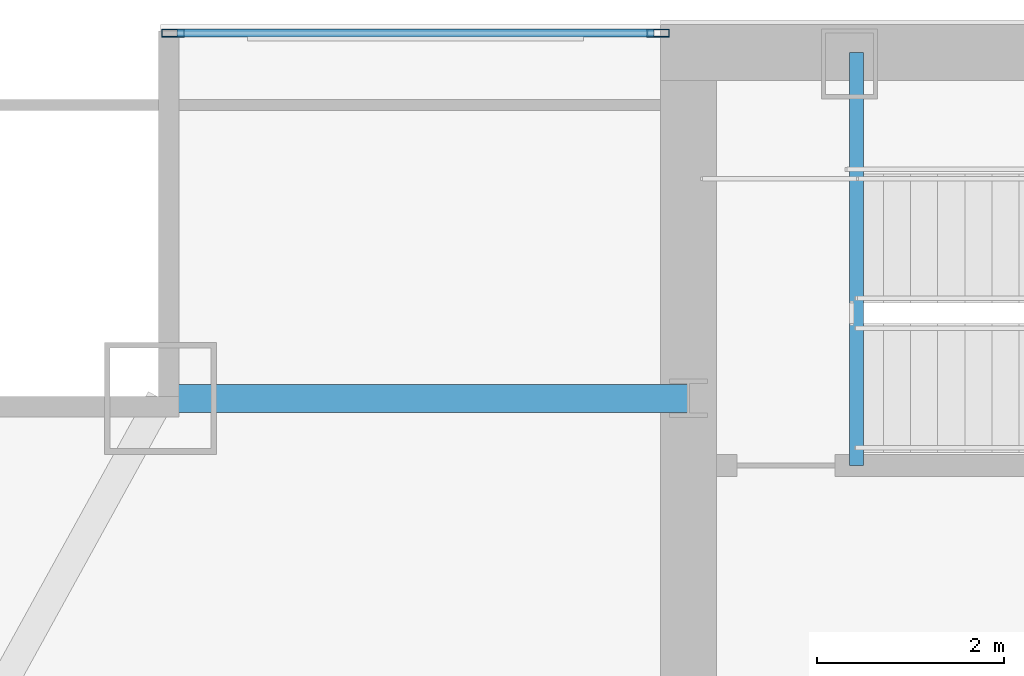
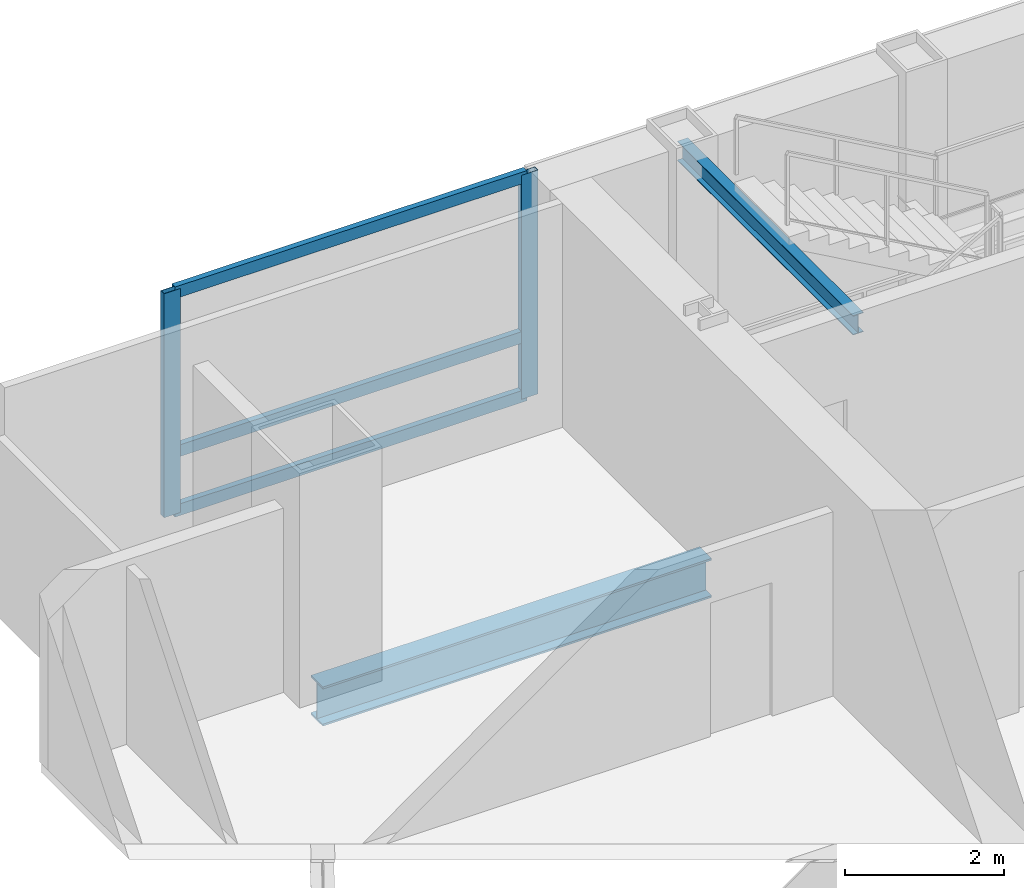
# One storey, part 21 of 30: 5 members, 2 beams, 1 element without a shape of its own.
"""IFC4 building model written with IfcOpenShell, lengths in metres."""

from ifc_helpers import new_model, si_unit, direction, frame, origin, origin_2d, place, context, subcontext, project, spatial, hollow_rectangle, i_section, extrude, material, material_profile, profile_set, type_object, element, aggregate, save


model = new_model("IFC4")

# Units and contexts
model_context = context("Model", 3, precision=1e-05, world=origin(), true_north=direction((0.0, 1.0)))
body_context = subcontext(model_context, "Body", "Model", "MODEL_VIEW")
ifc_project = project(units=[si_unit("LENGTHUNIT", "METRE"), si_unit("AREAUNIT", "SQUARE_METRE"), si_unit("VOLUMEUNIT", "CUBIC_METRE"), si_unit("PLANEANGLEUNIT", "RADIAN"), si_unit("MASSUNIT", "GRAM", prefix="KILO")], contexts=[model_context])

# Site, building, storey
site_placement = place(None, origin())
site = spatial("IfcSite", under=ifc_project, at=site_placement, CompositionType="ELEMENT")
building_placement = place(site_placement, origin())
building = spatial("IfcBuilding", under=site, at=building_placement, Name="Khoronbel Lancet Exchange", CompositionType="ELEMENT")
storey_placement = place(building_placement, frame((0.0, 0.0, 213.800048828125)))
storey = spatial("IfcBuildingStorey", under=building, at=storey_placement, Name="L54", CompositionType="ELEMENT", Elevation=213.800048828125)

# Beams
ifc_material_1 = material(Name="Steel S355", Category="steel")
ifc_material_profile_1 = material_profile(ifc_material_1, i_section(OverallWidth=0.14990234375, OverallDepth=0.300048828125, WebThickness=0.007080078125, FlangeThickness=0.0107421875, at=origin_2d()), Name="IPE 300")
ifc_profile_set_1 = profile_set([ifc_material_profile_1], Name="Steel S355")
beam_type_1 = type_object("IfcBeamType", Name="BM-BJ8", PredefinedType="JOIST", material=ifc_profile_set_1)
beam_1_placement = place(storey_placement, frame((18.300048828125, 48.97998046875, 3.159912109375), z_axis=(0.0, 1.0, 0.0), x_axis=(-1.0, 0.0, 0.0)))
element("IfcBeam", 1, at=beam_1_placement, inside=storey, type_object=beam_type_1, Name="Level L54 stair ST1 upper-flight arrival trimmer beam", PredefinedType="JOIST", context=body_context, shape_type="SweptSolid", body=[
    extrude(i_section(OverallWidth=0.14990234375, OverallDepth=0.300048828125, WebThickness=0.007080078125, FlangeThickness=0.0107421875, at=origin_2d()), origin(), (0.0, 0.0, 1.0), 4.419921875),
])
ifc_material_profile_2 = material_profile(ifc_material_1, i_section(OverallWidth=0.300048828125, OverallDepth=0.60009765625, WebThickness=0.015380859375, FlangeThickness=0.030029296875, at=origin_2d()), Name="HEB 600")
ifc_profile_set_2 = profile_set([ifc_material_profile_2], Name="Steel S355")
beam_type_2 = type_object("IfcBeamType", Name="BM-BSP2", PredefinedType="SPANDREL", material=ifc_profile_set_2)
beam_2_placement = place(storey_placement, frame((10.85009765625, 49.699951171875, -0.4599609375), z_axis=(1.0, 0.0, 0.0), x_axis=(0.0, 1.0, 0.0)))
element("IfcBeam", 2, at=beam_2_placement, inside=storey, type_object=beam_type_2, Name="Level L54 north flank tie spandrel SP22", PredefinedType="SPANDREL", context=body_context, shape_type="SweptSolid", body=[
    extrude(i_section(OverallWidth=0.300048828125, OverallDepth=0.60009765625, WebThickness=0.015380859375, FlangeThickness=0.030029296875, at=origin_2d()), origin(), (0.0, 0.0, 1.0), 5.64990234375),
])

# Curtain wall, members
ifc_material_2 = material(Name="Low-E Solar Control Insulating Glass", Category="glass")
curtain_wall_type = type_object("IfcCurtainWallType", Name="CW-3", PredefinedType="NOTDEFINED", material=ifc_material_2)
curtain_wall_placement = place(storey_placement, origin())
curtain_wall = element("IfcCurtainWall", 3, at=curtain_wall_placement, inside=storey, type_object=curtain_wall_type, Name="Unitised curtain wall CW-L54-NWFLK", PredefinedType="NOTDEFINED")
ifc_material_3 = material(Name="Bronze-Anodised Aluminium 6063-T6", Category="aluminium")
ifc_material_profile_3 = material_profile(ifc_material_3, hollow_rectangle(XDim=0.0849609375, YDim=0.239990234375, WallThickness=0.006103515625, at=origin_2d()), Name="ALU MULLION 85x240")
ifc_profile_set_3 = profile_set([ifc_material_profile_3], Name="Bronze-Anodised Aluminium 6063-T6")
member_type_1 = type_object("IfcMemberType", Name="MEM-CWM1", PredefinedType="MULLION", material=ifc_profile_set_3)
member_1_placement = place(storey_placement, frame((16.177490234375, 53.610107421875, 0.0), z_axis=(0.0, 0.0, 1.0), x_axis=(0.0, -1.0, 0.0)))
member_1 = element("IfcMember", 4, at=member_1_placement, type_object=member_type_1, Name="CW3 mullion 1", PredefinedType="MULLION", context=body_context, shape_type="SweptSolid", body=[
    extrude(hollow_rectangle(XDim=0.0849609375, YDim=0.239990234375, WallThickness=0.006103515625, at=origin_2d()), origin(), (0.0, 0.0, 1.0), 3.43994140625),
])
member_2_placement = place(storey_placement, frame((10.982421875, 53.610107421875, 0.0), z_axis=(0.0, 0.0, 1.0), x_axis=(0.0, -1.0, 0.0)))
member_2 = element("IfcMember", 5, at=member_2_placement, type_object=member_type_1, Name="CW3 mullion 2", PredefinedType="MULLION", context=body_context, shape_type="SweptSolid", body=[
    extrude(hollow_rectangle(XDim=0.0849609375, YDim=0.239990234375, WallThickness=0.006103515625, at=origin_2d()), origin(), (0.0, 0.0, 1.0), 3.43994140625),
])
ifc_material_profile_4 = material_profile(ifc_material_3, hollow_rectangle(XDim=0.0849609375, YDim=0.179931640625, WallThickness=0.0048828125, at=origin_2d()), Name="ALU TRANSOM 85x180")
ifc_profile_set_4 = profile_set([ifc_material_profile_4], Name="Bronze-Anodised Aluminium 6063-T6")
member_type_2 = type_object("IfcMemberType", Name="MEM-CWT1", PredefinedType="USERDEFINED", material=ifc_profile_set_4)
member_3_placement = place(storey_placement, frame((16.135009765625, 53.610107421875, 0.04248046875), z_axis=(-1.0, 0.0, 0.0), x_axis=(0.0, -1.0, 0.0)))
member_3 = element("IfcMember", 6, at=member_3_placement, type_object=member_type_2, Name="CW3 transom 1.1", ObjectType="TRANSOM", PredefinedType="USERDEFINED", context=body_context, shape_type="SweptSolid", body=[
    extrude(hollow_rectangle(XDim=0.0849609375, YDim=0.179931640625, WallThickness=0.0048828125, at=origin_2d()), origin(), (0.0, 0.0, 1.0), 5.110107421875),
])
member_4_placement = place(storey_placement, frame((16.135009765625, 53.610107421875, 0.949951171875), z_axis=(-1.0, 0.0, 0.0), x_axis=(0.0, -1.0, 0.0)))
member_4 = element("IfcMember", 7, at=member_4_placement, type_object=member_type_2, Name="CW3 transom 1.2", ObjectType="TRANSOM", PredefinedType="USERDEFINED", context=body_context, shape_type="SweptSolid", body=[
    extrude(hollow_rectangle(XDim=0.0849609375, YDim=0.179931640625, WallThickness=0.0048828125, at=origin_2d()), origin(), (0.0, 0.0, 1.0), 5.110107421875),
])
member_5_placement = place(storey_placement, frame((16.135009765625, 53.610107421875, 3.3974609375), z_axis=(-1.0, 0.0, 0.0), x_axis=(0.0, -1.0, 0.0)))
member_5 = element("IfcMember", 8, at=member_5_placement, type_object=member_type_2, Name="CW3 transom 1.3", ObjectType="TRANSOM", PredefinedType="USERDEFINED", context=body_context, shape_type="SweptSolid", body=[
    extrude(hollow_rectangle(XDim=0.0849609375, YDim=0.179931640625, WallThickness=0.0048828125, at=origin_2d()), origin(), (0.0, 0.0, 1.0), 5.110107421875),
])
aggregate(curtain_wall, [member_1, member_2, member_3, member_4, member_5])

save(model, "model.ifc")
